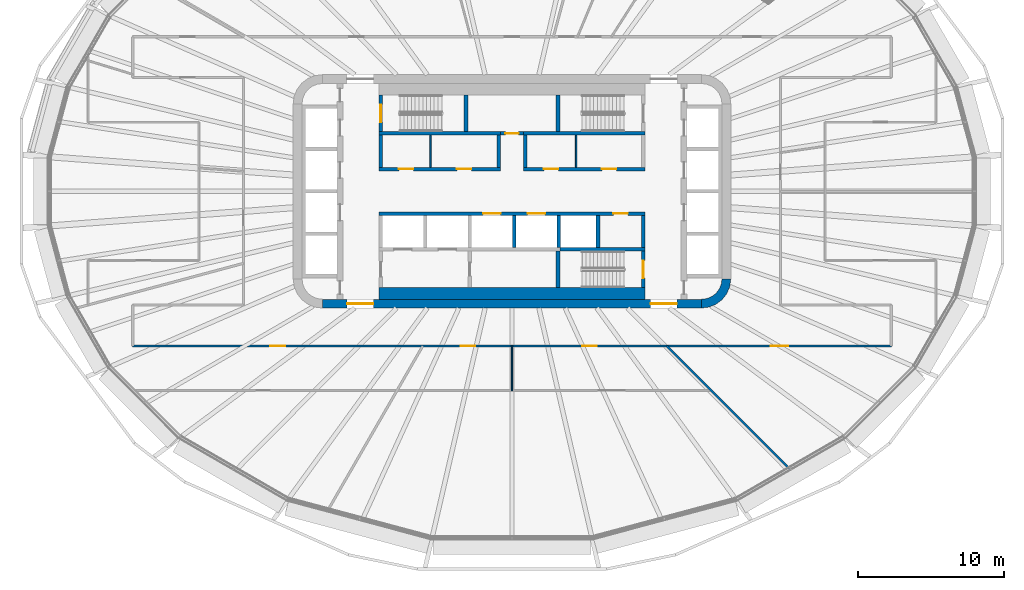
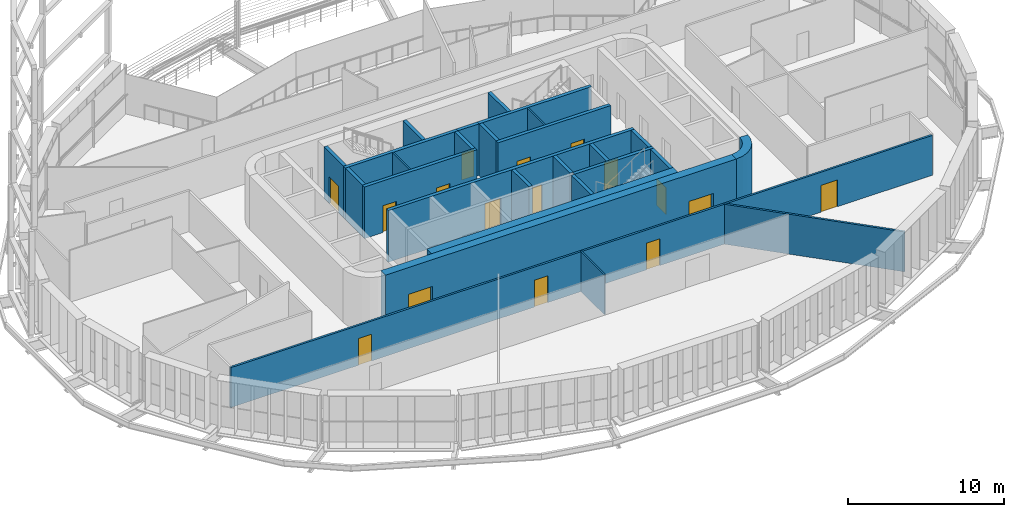
# One storey, part 14 of 25: 27 walls, 16 doors, 16 openings.
"""IFC4 building model written with IfcOpenShell, lengths in metres."""

from ifc_helpers import new_model, si_unit, direction, frame, frame_2d, origin, place, context, subcontext, project, spatial, polyline, rectangle, outline, extrude, material, layer, layer_set, type_object, element, fill, save


model = new_model("IFC4")

# Units and contexts
model_context = context("Model", 3, precision=1e-05, world=origin(), true_north=direction((0.0, 1.0)))
body_context = subcontext(model_context, "Body", "Model", "MODEL_VIEW")
ifc_project = project(units=[si_unit("LENGTHUNIT", "METRE"), si_unit("AREAUNIT", "SQUARE_METRE"), si_unit("VOLUMEUNIT", "CUBIC_METRE"), si_unit("PLANEANGLEUNIT", "RADIAN"), si_unit("MASSUNIT", "GRAM", prefix="KILO")], contexts=[model_context])

# Site, building, storey
site_placement = place(None, origin())
site = spatial("IfcSite", under=ifc_project, at=site_placement, CompositionType="ELEMENT")
building_placement = place(site_placement, origin())
building = spatial("IfcBuilding", under=site, at=building_placement, Name="Sahrelin Media Tower", CompositionType="ELEMENT")
storey_placement = place(building_placement, frame((0.0, 0.0, 127.199951171875)))
storey = spatial("IfcBuildingStorey", under=building, at=storey_placement, Name="L25", CompositionType="ELEMENT", Elevation=127.199951171875)

# Wall, openings, doors
ifc_material_1 = material(Name="Concrete C60/75", Category="concrete")
ifc_layer_1 = layer(ifc_material_1, 0.60009765625)
ifc_layer_set_1 = layer_set([ifc_layer_1], Name="Core wall 600")
wall_type_1 = type_object("IfcWallType", Name="Core wall 600", PredefinedType="SHEAR", material=ifc_layer_set_1)
wall_1_placement = place(storey_placement, frame((-13.0, -7.699951171875, 0.0), z_axis=(0.0, 0.0, 1.0), x_axis=(1.0, 0.0, 0.0)))
wall_1 = element("IfcWall", 1, at=wall_1_placement, inside=storey, type_object=wall_type_1, Name="Core wall S L25", PredefinedType="SHEAR", context=body_context, shape_type="SweptSolid", body=[
    extrude(rectangle(XDim=26.0, YDim=0.60009765625, at=frame_2d((13.0, 0.0))), origin(), (0.0, 0.0, 1.0), 4.199951171875),
])
opening_1_placement = place(wall_1_placement, frame((1.699951171875, 0.0, 0.0)))
opening_1 = element("IfcOpeningElement", 2, at=opening_1_placement, cuts=wall_1, Name="Opening L25-D18", PredefinedType="OPENING", context=body_context, shape_type="SweptSolid", body=[
    extrude(rectangle(XDim=1.800048828125, YDim=2.10009765625, at=frame_2d((0.89990234375, 1.050048828125))), frame((0.0, 0.300048828125, 0.0), z_axis=(0.0, -1.0, 0.0), x_axis=(1.0, 0.0, 0.0)), (0.0, 0.0, 1.0), 0.60009765625),
])
opening_2_placement = place(wall_1_placement, frame((22.5, 0.0, 0.0)))
opening_2 = element("IfcOpeningElement", 3, at=opening_2_placement, cuts=wall_1, Name="Opening L25-D19", PredefinedType="OPENING", context=body_context, shape_type="SweptSolid", body=[
    extrude(rectangle(XDim=1.800048828125, YDim=2.10009765625, at=frame_2d((0.89990234375, 1.050048828125))), frame((0.0, 0.300048828125, 0.0), z_axis=(0.0, -1.0, 0.0), x_axis=(1.0, 0.0, 0.0)), (0.0, 0.0, 1.0), 0.60009765625),
])
ifc_material_2 = material(Name="Steel fire door leaf", Category="steel")
door_type_1 = type_object("IfcDoorType", Name="Lobby double door 1800 x 2100 EI 60", OperationType="DOUBLE_DOOR_SINGLE_SWING", PredefinedType="DOOR", material=ifc_material_2)
door_1_placement = place(opening_1_placement, origin())
door_1 = element("IfcDoor", 4, at=door_1_placement, inside=storey, type_object=door_type_1, Name="Lobby door", OperationType="DOUBLE_DOOR_SINGLE_SWING", OverallHeight=2.10009765625, OverallWidth=1.800048828125, PredefinedType="DOOR", context=body_context, shape_type="SweptSolid", body=[
    extrude(rectangle(XDim=1.800048828125, YDim=2.10009765625, at=frame_2d((0.89990234375, 1.050048828125))), frame((0.0, 0.02490234375, 0.0), z_axis=(0.0, -1.0, 0.0), x_axis=(1.0, 0.0, 0.0)), (0.0, 0.0, 1.0), 0.050048828125),
])
fill(opening_1, door_1)
door_2_placement = place(opening_2_placement, origin())
door_2 = element("IfcDoor", 5, at=door_2_placement, inside=storey, type_object=door_type_1, Name="Lobby door", OperationType="DOUBLE_DOOR_SINGLE_SWING", OverallHeight=2.10009765625, OverallWidth=1.800048828125, PredefinedType="DOOR", context=body_context, shape_type="SweptSolid", body=[
    extrude(rectangle(XDim=1.800048828125, YDim=2.10009765625, at=frame_2d((0.89990234375, 1.050048828125))), frame((0.0, 0.02490234375, 0.0), z_axis=(0.0, -1.0, 0.0), x_axis=(1.0, 0.0, 0.0)), (0.0, 0.0, 1.0), 0.050048828125),
])
fill(opening_2, door_2)

# Wall
wall_2_placement = place(storey_placement, origin())
element("IfcWall", 6, at=wall_2_placement, inside=storey, type_object=wall_type_1, Name="Core wall corner SE L25", PredefinedType="SHEAR", context=body_context, shape_type="SweptSolid", body=[
    extrude(outline(polyline([(15.0, -6.0), (14.394775390625, -6.0), (14.347412109375, -6.361083984375), (14.2080078125, -6.697509765625), (13.986328125, -6.986328125), (13.697509765625, -7.2080078125), (13.361083984375, -7.347412109375), (13.0, -7.394775390625), (13.0, -8.0), (13.517578125, -7.931884765625), (14.0, -7.732177734375), (14.414306640625, -7.414306640625), (14.732177734375, -7.0), (14.931884765625, -6.517578125), (15.0, -6.0)])), origin(), (0.0, 0.0, 1.0), 4.199951171875),
])

# Wall, opening, door
ifc_material_3 = material(Name="Fire-rated gypsum board partition")
ifc_layer_2 = layer(ifc_material_3, 0.25)
ifc_layer_set_2 = layer_set([ifc_layer_2], Name="Fire-rated lobby wall 250")
wall_type_2 = type_object("IfcWallType", Name="Fire-rated lobby wall 250", PredefinedType="PARTITIONING", material=ifc_layer_set_2)
wall_3_placement = place(storey_placement, frame((-0.77490234375, 3.97509765625, 0.0), z_axis=(0.0, 0.0, 1.0), x_axis=(1.0, 0.0, 0.0)))
wall_3 = element("IfcWall", 7, at=wall_3_placement, inside=storey, type_object=wall_type_2, Name="Core lobby wall", PredefinedType="PARTITIONING", context=body_context, shape_type="SweptSolid", body=[
    extrude(rectangle(XDim=1.5498046875, YDim=0.25, at=frame_2d((0.77490234375, 0.0))), origin(), (0.0, 0.0, 1.0), 4.050048828125),
])
opening_3_placement = place(wall_3_placement, frame((0.324951171875, 0.0, 0.0)))
opening_3 = element("IfcOpeningElement", 8, at=opening_3_placement, cuts=wall_3, Name="Opening L25-D06", PredefinedType="OPENING", context=body_context, shape_type="SweptSolid", body=[
    extrude(rectangle(XDim=0.89990234375, YDim=2.10009765625, at=frame_2d((0.449951171875, 1.050048828125))), frame((0.0, 0.125, 0.0), z_axis=(0.0, -1.0, 0.0), x_axis=(1.0, 0.0, 0.0)), (0.0, 0.0, 1.0), 0.25),
])
door_type_2 = type_object("IfcDoorType", Name="Riser door 900 x 2100 EI 120", OperationType="NOTDEFINED", PredefinedType="DOOR", material=ifc_material_2)
door_3_placement = place(opening_3_placement, origin())
door_3 = element("IfcDoor", 9, at=door_3_placement, inside=storey, type_object=door_type_2, Name="Core room door", OperationType="SINGLE_SWING_LEFT", OverallHeight=2.10009765625, OverallWidth=0.89990234375, PredefinedType="DOOR", context=body_context, shape_type="SweptSolid", body=[
    extrude(rectangle(XDim=0.89990234375, YDim=2.10009765625, at=frame_2d((0.449951171875, 1.050048828125))), frame((0.0, 0.02490234375, 0.0), z_axis=(0.0, -1.0, 0.0), x_axis=(1.0, 0.0, 0.0)), (0.0, 0.0, 1.0), 0.050048828125),
])
fill(opening_3, door_3)

# Wall, openings, doors
wall_4_placement = place(storey_placement, frame((-9.125, 1.52490234375, 0.0), z_axis=(0.0, 0.0, 1.0), x_axis=(1.0, 0.0, 0.0)))
wall_4 = element("IfcWall", 10, at=wall_4_placement, inside=storey, type_object=wall_type_2, Name="Core lobby wall", PredefinedType="PARTITIONING", context=body_context, shape_type="SweptSolid", body=[
    extrude(rectangle(XDim=8.35009765625, YDim=0.25, at=frame_2d((4.175048828125, 0.0))), origin(), (0.0, 0.0, 1.0), 4.050048828125),
])
opening_4_placement = place(wall_4_placement, frame((1.362548828125, 0.0, 0.0)))
opening_4 = element("IfcOpeningElement", 11, at=opening_4_placement, cuts=wall_4, Name="Opening L25-D07", PredefinedType="OPENING", context=body_context, shape_type="SweptSolid", body=[
    extrude(rectangle(XDim=1.0, YDim=2.10009765625, at=frame_2d((0.5, 1.050048828125))), frame((0.0, 0.125, 0.0), z_axis=(0.0, -1.0, 0.0), x_axis=(1.0, 0.0, 0.0)), (0.0, 0.0, 1.0), 0.25),
])
opening_5_placement = place(wall_4_placement, frame((5.33740234375, 0.0, 0.0)))
opening_5 = element("IfcOpeningElement", 12, at=opening_5_placement, cuts=wall_4, Name="Opening L25-D08", PredefinedType="OPENING", context=body_context, shape_type="SweptSolid", body=[
    extrude(rectangle(XDim=1.0, YDim=2.10009765625, at=frame_2d((0.5, 1.050048828125))), frame((0.0, 0.125, 0.0), z_axis=(0.0, -1.0, 0.0), x_axis=(1.0, 0.0, 0.0)), (0.0, 0.0, 1.0), 0.25),
])
door_type_3 = type_object("IfcDoorType", Name="Fire door 1000 x 2100 EI 60", OperationType="NOTDEFINED", PredefinedType="DOOR", material=ifc_material_2)
door_4_placement = place(opening_4_placement, origin())
door_4 = element("IfcDoor", 13, at=door_4_placement, inside=storey, type_object=door_type_3, Name="Core room door", OperationType="SINGLE_SWING_LEFT", OverallHeight=2.10009765625, OverallWidth=1.0, PredefinedType="DOOR", context=body_context, shape_type="SweptSolid", body=[
    extrude(rectangle(XDim=1.0, YDim=2.10009765625, at=frame_2d((0.5, 1.050048828125))), frame((0.0, 0.02490234375, 0.0), z_axis=(0.0, -1.0, 0.0), x_axis=(1.0, 0.0, 0.0)), (0.0, 0.0, 1.0), 0.050048828125),
])
fill(opening_4, door_4)
door_5_placement = place(opening_5_placement, origin())
door_5 = element("IfcDoor", 14, at=door_5_placement, inside=storey, type_object=door_type_3, Name="Core room door", OperationType="SINGLE_SWING_LEFT", OverallHeight=2.10009765625, OverallWidth=1.0, PredefinedType="DOOR", context=body_context, shape_type="SweptSolid", body=[
    extrude(rectangle(XDim=1.0, YDim=2.10009765625, at=frame_2d((0.5, 1.050048828125))), frame((0.0, 0.02490234375, 0.0), z_axis=(0.0, -1.0, 0.0), x_axis=(1.0, 0.0, 0.0)), (0.0, 0.0, 1.0), 0.050048828125),
])
fill(opening_5, door_5)

wall_5_placement = place(storey_placement, frame((0.77490234375, 1.52490234375, 0.0), z_axis=(0.0, 0.0, 1.0), x_axis=(1.0, 0.0, 0.0)))
wall_5 = element("IfcWall", 15, at=wall_5_placement, inside=storey, type_object=wall_type_2, Name="Core lobby wall", PredefinedType="PARTITIONING", context=body_context, shape_type="SweptSolid", body=[
    extrude(rectangle(XDim=8.35009765625, YDim=0.25, at=frame_2d((4.175048828125, 0.0))), origin(), (0.0, 0.0, 1.0), 4.050048828125),
])
opening_6_placement = place(wall_5_placement, frame((1.41259765625, 0.0, 0.0)))
opening_6 = element("IfcOpeningElement", 16, at=opening_6_placement, cuts=wall_5, Name="Opening L25-D09", PredefinedType="OPENING", context=body_context, shape_type="SweptSolid", body=[
    extrude(rectangle(XDim=1.0, YDim=2.10009765625, at=frame_2d((0.5, 1.050048828125))), frame((0.0, 0.125, 0.0), z_axis=(0.0, -1.0, 0.0), x_axis=(1.0, 0.0, 0.0)), (0.0, 0.0, 1.0), 0.25),
])
opening_7_placement = place(wall_5_placement, frame((5.387451171875, 0.0, 0.0)))
opening_7 = element("IfcOpeningElement", 17, at=opening_7_placement, cuts=wall_5, Name="Opening L25-D10", PredefinedType="OPENING", context=body_context, shape_type="SweptSolid", body=[
    extrude(rectangle(XDim=1.0, YDim=2.10009765625, at=frame_2d((0.5, 1.050048828125))), frame((0.0, 0.125, 0.0), z_axis=(0.0, -1.0, 0.0), x_axis=(1.0, 0.0, 0.0)), (0.0, 0.0, 1.0), 0.25),
])
door_6_placement = place(opening_6_placement, origin())
door_6 = element("IfcDoor", 18, at=door_6_placement, inside=storey, type_object=door_type_3, Name="Core room door", OperationType="SINGLE_SWING_LEFT", OverallHeight=2.10009765625, OverallWidth=1.0, PredefinedType="DOOR", context=body_context, shape_type="SweptSolid", body=[
    extrude(rectangle(XDim=1.0, YDim=2.10009765625, at=frame_2d((0.5, 1.050048828125))), frame((0.0, 0.02490234375, 0.0), z_axis=(0.0, -1.0, 0.0), x_axis=(1.0, 0.0, 0.0)), (0.0, 0.0, 1.0), 0.050048828125),
])
fill(opening_6, door_6)
door_7_placement = place(opening_7_placement, origin())
door_7 = element("IfcDoor", 19, at=door_7_placement, inside=storey, type_object=door_type_3, Name="Core room door", OperationType="SINGLE_SWING_LEFT", OverallHeight=2.10009765625, OverallWidth=1.0, PredefinedType="DOOR", context=body_context, shape_type="SweptSolid", body=[
    extrude(rectangle(XDim=1.0, YDim=2.10009765625, at=frame_2d((0.5, 1.050048828125))), frame((0.0, 0.02490234375, 0.0), z_axis=(0.0, -1.0, 0.0), x_axis=(1.0, 0.0, 0.0)), (0.0, 0.0, 1.0), 0.050048828125),
])
fill(opening_7, door_7)

# Walls
for number, where, z_axis, x_axis, name in (
    (20, (-9.0, 1.64990234375, 0.0), (0.0, 0.0, 1.0), (0.0, 1.0, 0.0), "Core lobby wall"),
    (21, (-0.89990234375, 1.64990234375, 0.0), (0.0, 0.0, 1.0), (0.0, 1.0, 0.0), "Core lobby wall"),
    (22, (0.89990234375, 1.64990234375, 0.0), (0.0, 0.0, 1.0), (0.0, 1.0, 0.0), "Core lobby wall"),
):
    element("IfcWall", number, at=place(storey_placement, frame(where, z_axis=z_axis, x_axis=x_axis)), inside=storey, type_object=wall_type_2, Name=name, PredefinedType="PARTITIONING", context=body_context, shape_type="SweptSolid", body=[
        extrude(rectangle(XDim=2.2001953125, YDim=0.25, at=frame_2d((1.10009765625, 0.0))), origin(), (0.0, 0.0, 1.0), 4.050048828125),
    ])
ifc_layer_3 = layer(ifc_material_3, 0.10009765625)
ifc_layer_set_3 = layer_set([ifc_layer_3], Name="Fire-rated partition 100")
wall_type_3 = type_object("IfcWallType", Name="Fire-rated partition 100", PredefinedType="PARTITIONING", material=ifc_layer_set_3)
for number, where, z_axis, x_axis, name in (
    (23, (-5.60009765625, 1.64990234375, 0.0), (0.0, 0.0, 1.0), (0.0, 1.0, 0.0), "Core room partition"),
    (24, (4.39990234375, 1.64990234375, 0.0), (0.0, 0.0, 1.0), (0.0, 1.0, 0.0), "Core room partition"),
):
    element("IfcWall", number, at=place(storey_placement, frame(where, z_axis=z_axis, x_axis=x_axis)), inside=storey, type_object=wall_type_3, Name=name, PredefinedType="PARTITIONING", context=body_context, shape_type="SweptSolid", body=[
        extrude(rectangle(XDim=2.2001953125, YDim=0.10009765625, at=frame_2d((1.10009765625, 0.0))), origin(), (0.0, 0.0, 1.0), 4.050048828125),
    ])
ifc_layer_4 = layer(ifc_material_3, 0.14990234375)
ifc_layer_set_4 = layer_set([ifc_layer_4], Name="Fire-rated partition 150")
wall_type_4 = type_object("IfcWallType", Name="Fire-rated partition 150", PredefinedType="PARTITIONING", material=ifc_layer_set_4)
wall_6_placement = place(storey_placement, frame((10.60009765625, -10.60009765625, 0.0), z_axis=(0.0, 0.0, 1.0), x_axis=(0.707106781187, -0.707106781187, 0.0)))
element("IfcWall", 25, at=wall_6_placement, inside=storey, type_object=wall_type_4, Name="Wall", PredefinedType="PARTITIONING", context=body_context, shape_type="SweptSolid", body=[
    extrude(rectangle(XDim=12.00537109375, YDim=0.14990234375, at=frame_2d((6.002685546875, 0.0))), origin(), (0.0, 0.0, 1.0), 3.126953125),
])

# Wall, openings, doors
wall_7_placement = place(storey_placement, frame((-26.0, -10.60009765625, 0.0), z_axis=(0.0, 0.0, 1.0), x_axis=(1.0, 0.0, 0.0)))
wall_7 = element("IfcWall", 26, at=wall_7_placement, inside=storey, type_object=wall_type_4, Name="Wall", PredefinedType="PARTITIONING", context=body_context, shape_type="SweptSolid", body=[
    extrude(rectangle(XDim=52.0, YDim=0.14990234375, at=frame_2d((26.0, 0.0))), origin(), (0.0, 0.0, 1.0), 3.126953125),
])
opening_8_placement = place(wall_7_placement, frame((22.490234375, 0.0, 0.0)))
opening_8 = element("IfcOpeningElement", 27, at=opening_8_placement, cuts=wall_7, Name="Opening L25-D20", PredefinedType="OPENING", context=body_context, shape_type="SweptSolid", body=[
    extrude(rectangle(XDim=1.0, YDim=2.10009765625, at=frame_2d((0.5, 1.050048828125))), frame((0.0, 0.074951171875, 0.0), z_axis=(0.0, -1.0, 0.0), x_axis=(1.0, 0.0, 0.0)), (0.0, 0.0, 1.0), 0.14990234375),
])
opening_9_placement = place(wall_7_placement, frame((30.800048828125, 0.0, 0.0)))
opening_9 = element("IfcOpeningElement", 28, at=opening_9_placement, cuts=wall_7, Name="Opening L25-D21", PredefinedType="OPENING", context=body_context, shape_type="SweptSolid", body=[
    extrude(rectangle(XDim=1.0, YDim=2.10009765625, at=frame_2d((0.5, 1.050048828125))), frame((0.0, 0.074951171875, 0.0), z_axis=(0.0, -1.0, 0.0), x_axis=(1.0, 0.0, 0.0)), (0.0, 0.0, 1.0), 0.14990234375),
])
opening_10_placement = place(wall_7_placement, frame((43.75048828125, 0.0, 0.0)))
opening_10 = element("IfcOpeningElement", 29, at=opening_10_placement, cuts=wall_7, Name="Opening L25-D23", PredefinedType="OPENING", context=body_context, shape_type="SweptSolid", body=[
    extrude(rectangle(XDim=1.199951171875, YDim=2.10009765625, at=frame_2d((0.60009765625, 1.050048828125))), frame((0.0, 0.074951171875, 0.0), z_axis=(0.0, -1.0, 0.0), x_axis=(1.0, 0.0, 0.0)), (0.0, 0.0, 1.0), 0.14990234375),
])
opening_11_placement = place(wall_7_placement, frame((9.43994140625, 0.0, 0.0)))
opening_11 = element("IfcOpeningElement", 30, at=opening_11_placement, cuts=wall_7, Name="Opening L25-D37", PredefinedType="OPENING", context=body_context, shape_type="SweptSolid", body=[
    extrude(rectangle(XDim=1.0, YDim=2.10009765625, at=frame_2d((0.5, 1.050048828125))), frame((0.0, 0.074951171875, 0.0), z_axis=(0.0, -1.0, 0.0), x_axis=(1.0, 0.0, 0.0)), (0.0, 0.0, 1.0), 0.14990234375),
])
door_8_placement = place(opening_8_placement, origin())
door_8 = element("IfcDoor", 31, at=door_8_placement, inside=storey, type_object=door_type_3, Name="Fire door", OperationType="SINGLE_SWING_LEFT", OverallHeight=2.10009765625, OverallWidth=1.0, PredefinedType="DOOR", context=body_context, shape_type="SweptSolid", body=[
    extrude(rectangle(XDim=1.0, YDim=2.10009765625, at=frame_2d((0.5, 1.050048828125))), frame((0.0, 0.02490234375, 0.0), z_axis=(0.0, -1.0, 0.0), x_axis=(1.0, 0.0, 0.0)), (0.0, 0.0, 1.0), 0.050048828125),
])
fill(opening_8, door_8)
door_9_placement = place(opening_9_placement, origin())
door_9 = element("IfcDoor", 32, at=door_9_placement, inside=storey, type_object=door_type_3, Name="Fire door", OperationType="SINGLE_SWING_RIGHT", OverallHeight=2.10009765625, OverallWidth=1.0, PredefinedType="DOOR", context=body_context, shape_type="SweptSolid", body=[
    extrude(rectangle(XDim=1.0, YDim=2.10009765625, at=frame_2d((0.5, 1.050048828125))), frame((0.0, 0.02490234375, 0.0), z_axis=(0.0, -1.0, 0.0), x_axis=(1.0, 0.0, 0.0)), (0.0, 0.0, 1.0), 0.050048828125),
])
fill(opening_9, door_9)
door_10_placement = place(opening_11_placement, origin())
door_10 = element("IfcDoor", 33, at=door_10_placement, inside=storey, type_object=door_type_3, Name="Fire door", OperationType="SINGLE_SWING_LEFT", OverallHeight=2.10009765625, OverallWidth=1.0, PredefinedType="DOOR", context=body_context, shape_type="SweptSolid", body=[
    extrude(rectangle(XDim=1.0, YDim=2.10009765625, at=frame_2d((0.5, 1.050048828125))), frame((0.0, 0.02490234375, 0.0), z_axis=(0.0, -1.0, 0.0), x_axis=(1.0, 0.0, 0.0)), (0.0, 0.0, 1.0), 0.050048828125),
])
fill(opening_11, door_10)
door_type_4 = type_object("IfcDoorType", Name="Service double door 1200 x 2100 EI 60", OperationType="DOUBLE_DOOR_SINGLE_SWING", PredefinedType="DOOR", material=ifc_material_2)
door_11_placement = place(opening_10_placement, origin())
door_11 = element("IfcDoor", 34, at=door_11_placement, inside=storey, type_object=door_type_4, Name="Service double door", OperationType="DOUBLE_DOOR_SINGLE_SWING", OverallHeight=2.10009765625, OverallWidth=1.199951171875, PredefinedType="DOOR", context=body_context, shape_type="SweptSolid", body=[
    extrude(rectangle(XDim=1.199951171875, YDim=2.10009765625, at=frame_2d((0.60009765625, 1.050048828125))), frame((0.0, 0.02490234375, 0.0), z_axis=(0.0, -1.0, 0.0), x_axis=(1.0, 0.0, 0.0)), (0.0, 0.0, 1.0), 0.050048828125),
])
fill(opening_10, door_11)

ifc_layer_5 = layer(ifc_material_1, 0.25)
ifc_layer_set_5 = layer_set([ifc_layer_5], Name="Lift shaft wall 250")
wall_type_5 = type_object("IfcWallType", Name="Lift shaft wall 250", PredefinedType="SOLIDWALL", material=ifc_layer_set_5)
wall_8_placement = place(storey_placement, frame((-9.125, -1.52490234375, 0.0), z_axis=(0.0, 0.0, 1.0), x_axis=(1.0, 0.0, 0.0)))
wall_8 = element("IfcWall", 35, at=wall_8_placement, inside=storey, type_object=wall_type_5, Name="Lift shaft wall", PredefinedType="SOLIDWALL", context=body_context, shape_type="SweptSolid", body=[
    extrude(rectangle(XDim=18.25, YDim=0.25, at=frame_2d((9.125, 0.0))), origin(), (0.0, 0.0, 1.0), 4.050048828125),
])
opening_12_placement = place(wall_8_placement, frame((7.14990234375, 0.0, 0.0)))
opening_12 = element("IfcOpeningElement", 36, at=opening_12_placement, cuts=wall_8, Name="Opening L25-LD-SV1", PredefinedType="OPENING", context=body_context, shape_type="SweptSolid", body=[
    extrude(rectangle(XDim=1.199951171875, YDim=2.10009765625, at=frame_2d((0.60009765625, 1.050048828125))), frame((0.0, 0.125, 0.0), z_axis=(0.0, -1.0, 0.0), x_axis=(1.0, 0.0, 0.0)), (0.0, 0.0, 1.0), 0.25),
])
opening_13_placement = place(wall_8_placement, frame((10.199951171875, 0.0, 0.0)))
opening_13 = element("IfcOpeningElement", 37, at=opening_13_placement, cuts=wall_8, Name="Opening L25-LD-SV2", PredefinedType="OPENING", context=body_context, shape_type="SweptSolid", body=[
    extrude(rectangle(XDim=1.199951171875, YDim=2.10009765625, at=frame_2d((0.60009765625, 1.050048828125))), frame((0.0, 0.125, 0.0), z_axis=(0.0, -1.0, 0.0), x_axis=(1.0, 0.0, 0.0)), (0.0, 0.0, 1.0), 0.25),
])
opening_14_placement = place(wall_8_placement, frame((16.074951171875, 0.0, 0.0)))
opening_14 = element("IfcOpeningElement", 38, at=opening_14_placement, cuts=wall_8, Name="Opening L25-D11", PredefinedType="OPENING", context=body_context, shape_type="SweptSolid", body=[
    extrude(rectangle(XDim=1.0, YDim=2.10009765625, at=frame_2d((0.5, 1.050048828125))), frame((0.0, 0.125, 0.0), z_axis=(0.0, -1.0, 0.0), x_axis=(1.0, 0.0, 0.0)), (0.0, 0.0, 1.0), 0.25),
])
door_12_placement = place(opening_14_placement, origin())
door_12 = element("IfcDoor", 39, at=door_12_placement, inside=storey, type_object=door_type_3, Name="Core room door", OperationType="SINGLE_SWING_RIGHT", OverallHeight=2.10009765625, OverallWidth=1.0, PredefinedType="DOOR", context=body_context, shape_type="SweptSolid", body=[
    extrude(rectangle(XDim=1.0, YDim=2.10009765625, at=frame_2d((0.5, 1.050048828125))), frame((0.0, 0.02490234375, 0.0), z_axis=(0.0, -1.0, 0.0), x_axis=(1.0, 0.0, 0.0)), (0.0, 0.0, 1.0), 0.050048828125),
])
fill(opening_14, door_12)
ifc_material_4 = material(Name="Stainless steel", Category="steel")
door_type_5 = type_object("IfcDoorType", Name="Lift landing door 1200 x 2100 EI 120", OperationType="DOUBLE_DOOR_SLIDING", PredefinedType="DOOR", material=ifc_material_4)
door_13_placement = place(opening_12_placement, origin())
door_13 = element("IfcDoor", 40, at=door_13_placement, inside=storey, type_object=door_type_5, Name="Lift landing door SV1", OperationType="DOUBLE_DOOR_SLIDING", OverallHeight=2.10009765625, OverallWidth=1.199951171875, PredefinedType="DOOR", context=body_context, shape_type="SweptSolid", body=[
    extrude(rectangle(XDim=1.199951171875, YDim=2.10009765625, at=frame_2d((0.60009765625, 1.050048828125))), frame((0.0, 0.02490234375, 0.0), z_axis=(0.0, -1.0, 0.0), x_axis=(1.0, 0.0, 0.0)), (0.0, 0.0, 1.0), 0.050048828125),
])
fill(opening_12, door_13)
door_14_placement = place(opening_13_placement, origin())
door_14 = element("IfcDoor", 41, at=door_14_placement, inside=storey, type_object=door_type_5, Name="Lift landing door SV2", OperationType="DOUBLE_DOOR_SLIDING", OverallHeight=2.10009765625, OverallWidth=1.199951171875, PredefinedType="DOOR", context=body_context, shape_type="SweptSolid", body=[
    extrude(rectangle(XDim=1.199951171875, YDim=2.10009765625, at=frame_2d((0.60009765625, 1.050048828125))), frame((0.0, 0.02490234375, 0.0), z_axis=(0.0, -1.0, 0.0), x_axis=(1.0, 0.0, 0.0)), (0.0, 0.0, 1.0), 0.050048828125),
])
fill(opening_13, door_14)

# Walls
wall_9_placement = place(storey_placement, frame((3.27490234375, -3.97509765625, 0.0), z_axis=(0.0, 0.0, 1.0), x_axis=(1.0, 0.0, 0.0)))
element("IfcWall", 42, at=wall_9_placement, inside=storey, type_object=wall_type_5, Name="Lift shaft wall", PredefinedType="SOLIDWALL", context=body_context, shape_type="SweptSolid", body=[
    extrude(rectangle(XDim=5.85009765625, YDim=0.25, at=frame_2d((2.925048828125, 0.0))), origin(), (0.0, 0.0, 1.0), 4.050048828125),
])
for number, where, z_axis, x_axis, name in (
    (43, (0.14990234375, -3.85009765625, 0.0), (0.0, 0.0, 1.0), (0.0, 1.0, 0.0), "Lift shaft wall"),
    (44, (3.199951171875, -3.85009765625, 0.0), (0.0, 0.0, 1.0), (0.0, 1.0, 0.0), "Lift shaft wall"),
    (45, (5.89990234375, -3.85009765625, 0.0), (0.0, 0.0, 1.0), (0.0, 1.0, 0.0), "Lift shaft wall"),
    (46, (9.0, -3.85009765625, 0.0), (0.0, 0.0, 1.0), (0.0, 1.0, 0.0), "Lift shaft wall"),
):
    element("IfcWall", number, at=place(storey_placement, frame(where, z_axis=z_axis, x_axis=x_axis)), inside=storey, type_object=wall_type_5, Name=name, PredefinedType="SOLIDWALL", context=body_context, shape_type="SweptSolid", body=[
        extrude(rectangle(XDim=2.2001953125, YDim=0.25, at=frame_2d((1.10009765625, 0.0))), origin(), (0.0, 0.0, 1.0), 4.050048828125),
    ])
ifc_material_5 = material(Name="Gypsum board partition")
ifc_layer_6 = layer(ifc_material_5, 0.10009765625)
ifc_layer_set_6 = layer_set([ifc_layer_6], Name="Partition 100")
wall_type_6 = type_object("IfcWallType", Name="Partition 100", PredefinedType="PARTITIONING", material=ifc_layer_set_6)
wall_10_placement = place(storey_placement, frame((0.0, -13.659912109375, 0.0), z_axis=(0.0, 0.0, 1.0), x_axis=(0.0, 1.0, 0.0)))
element("IfcWall", 47, at=wall_10_placement, inside=storey, type_object=wall_type_6, Name="Wall", PredefinedType="PARTITIONING", context=body_context, shape_type="SweptSolid", body=[
    extrude(rectangle(XDim=3.059814453125, YDim=0.10009765625, at=frame_2d((1.52978515625, 0.0))), origin(), (0.0, 0.0, 1.0), 3.126953125),
])

# Wall, opening, door
ifc_layer_7 = layer(ifc_material_1, 0.25)
ifc_layer_set_7 = layer_set([ifc_layer_7], Name="Stair enclosure wall 250")
wall_type_7 = type_object("IfcWallType", Name="Stair enclosure wall 250", PredefinedType="SOLIDWALL", material=ifc_layer_set_7)
wall_11_placement = place(storey_placement, frame((-9.0, 4.10009765625, 0.0), z_axis=(0.0, 0.0, 1.0), x_axis=(0.0, 1.0, 0.0)))
wall_11 = element("IfcWall", 48, at=wall_11_placement, inside=storey, type_object=wall_type_7, Name="Stair enclosure wall", PredefinedType="SOLIDWALL", context=body_context, shape_type="SweptSolid", body=[
    extrude(rectangle(XDim=2.5, YDim=0.25, at=frame_2d((1.25, 0.0))), origin(), (0.0, 0.0, 1.0), 4.050048828125),
])
opening_15_placement = place(wall_11_placement, frame((0.64990234375, 0.0, 0.0)))
opening_15 = element("IfcOpeningElement", 49, at=opening_15_placement, cuts=wall_11, Name="Opening L25-D01", PredefinedType="OPENING", context=body_context, shape_type="SweptSolid", body=[
    extrude(rectangle(XDim=1.199951171875, YDim=2.10009765625, at=frame_2d((0.60009765625, 1.050048828125))), frame((0.0, 0.125, 0.0), z_axis=(0.0, -1.0, 0.0), x_axis=(1.0, 0.0, 0.0)), (0.0, 0.0, 1.0), 0.25),
])
door_type_6 = type_object("IfcDoorType", Name="Stair door 1200 x 2100 EI 120", OperationType="NOTDEFINED", PredefinedType="DOOR", material=ifc_material_2)
door_15_placement = place(opening_15_placement, origin())
door_15 = element("IfcDoor", 50, at=door_15_placement, inside=storey, type_object=door_type_6, Name="Stair door ST1", OperationType="SINGLE_SWING_RIGHT", OverallHeight=2.10009765625, OverallWidth=1.199951171875, PredefinedType="DOOR", context=body_context, shape_type="SweptSolid", body=[
    extrude(rectangle(XDim=1.199951171875, YDim=2.10009765625, at=frame_2d((0.60009765625, 1.050048828125))), frame((0.0, 0.02490234375, 0.0), z_axis=(0.0, -1.0, 0.0), x_axis=(1.0, 0.0, 0.0)), (0.0, 0.0, 1.0), 0.050048828125),
])
fill(opening_15, door_15)

wall_12_placement = place(storey_placement, frame((9.0, -6.60009765625, 0.0), z_axis=(0.0, 0.0, 1.0), x_axis=(0.0, 1.0, 0.0)))
wall_12 = element("IfcWall", 51, at=wall_12_placement, inside=storey, type_object=wall_type_7, Name="Stair enclosure wall", PredefinedType="SOLIDWALL", context=body_context, shape_type="SweptSolid", body=[
    extrude(rectangle(XDim=2.5, YDim=0.25, at=frame_2d((1.25, 0.0))), origin(), (0.0, 0.0, 1.0), 4.050048828125),
])
opening_16_placement = place(wall_12_placement, frame((0.64990234375, 0.0, 0.0)))
opening_16 = element("IfcOpeningElement", 52, at=opening_16_placement, cuts=wall_12, Name="Opening L25-D03", PredefinedType="OPENING", context=body_context, shape_type="SweptSolid", body=[
    extrude(rectangle(XDim=1.199951171875, YDim=2.10009765625, at=frame_2d((0.60009765625, 1.050048828125))), frame((0.0, 0.125, 0.0), z_axis=(0.0, -1.0, 0.0), x_axis=(1.0, 0.0, 0.0)), (0.0, 0.0, 1.0), 0.25),
])
door_16_placement = place(opening_16_placement, origin())
door_16 = element("IfcDoor", 53, at=door_16_placement, inside=storey, type_object=door_type_6, Name="Stair door ST2", OperationType="SINGLE_SWING_LEFT", OverallHeight=2.10009765625, OverallWidth=1.199951171875, PredefinedType="DOOR", context=body_context, shape_type="SweptSolid", body=[
    extrude(rectangle(XDim=1.199951171875, YDim=2.10009765625, at=frame_2d((0.60009765625, 1.050048828125))), frame((0.0, 0.02490234375, 0.0), z_axis=(0.0, -1.0, 0.0), x_axis=(1.0, 0.0, 0.0)), (0.0, 0.0, 1.0), 0.050048828125),
])
fill(opening_16, door_16)

# Walls
for number, where, z_axis, x_axis, name in (
    (54, (-3.14990234375, 4.10009765625, 0.0), (0.0, 0.0, 1.0), (0.0, 1.0, 0.0), "Stair enclosure wall"),
    (55, (3.14990234375, 4.10009765625, 0.0), (0.0, 0.0, 1.0), (0.0, 1.0, 0.0), "Stair enclosure wall"),
    (56, (3.14990234375, -6.60009765625, 0.0), (0.0, 0.0, 1.0), (0.0, 1.0, 0.0), "Stair enclosure wall"),
):
    element("IfcWall", number, at=place(storey_placement, frame(where, z_axis=z_axis, x_axis=x_axis)), inside=storey, type_object=wall_type_7, Name=name, PredefinedType="SOLIDWALL", context=body_context, shape_type="SweptSolid", body=[
        extrude(rectangle(XDim=2.5, YDim=0.25, at=frame_2d((1.25, 0.0))), origin(), (0.0, 0.0, 1.0), 4.050048828125),
    ])
for number, where, z_axis, x_axis, name in (
    (57, (-9.125, 3.97509765625, 0.0), (0.0, 0.0, 1.0), (1.0, 0.0, 0.0), "Stair enclosure wall"),
    (58, (0.77490234375, 3.97509765625, 0.0), (0.0, 0.0, 1.0), (1.0, 0.0, 0.0), "Stair enclosure wall"),
):
    element("IfcWall", number, at=place(storey_placement, frame(where, z_axis=z_axis, x_axis=x_axis)), inside=storey, type_object=wall_type_7, Name=name, PredefinedType="SOLIDWALL", context=body_context, shape_type="SweptSolid", body=[
        extrude(rectangle(XDim=8.35009765625, YDim=0.25, at=frame_2d((4.175048828125, 0.0))), origin(), (0.0, 0.0, 1.0), 4.050048828125),
    ])
ifc_layer_8 = layer(ifc_material_1, 0.800048828125)
ifc_layer_set_8 = layer_set([ifc_layer_8], Name="Stair enclosure wall 800")
wall_type_8 = type_object("IfcWallType", Name="Stair enclosure wall 800", PredefinedType="SOLIDWALL", material=ifc_layer_set_8)
wall_13_placement = place(storey_placement, frame((-9.125, -7.0, 0.0), z_axis=(0.0, 0.0, 1.0), x_axis=(1.0, 0.0, 0.0)))
element("IfcWall", 59, at=wall_13_placement, inside=storey, type_object=wall_type_8, Name="Stair enclosure wall", PredefinedType="SOLIDWALL", context=body_context, shape_type="SweptSolid", body=[
    extrude(rectangle(XDim=18.25, YDim=0.800048828125, at=frame_2d((9.125, 0.0))), origin(), (0.0, 0.0, 1.0), 4.050048828125),
])

save(model, "model.ifc")
